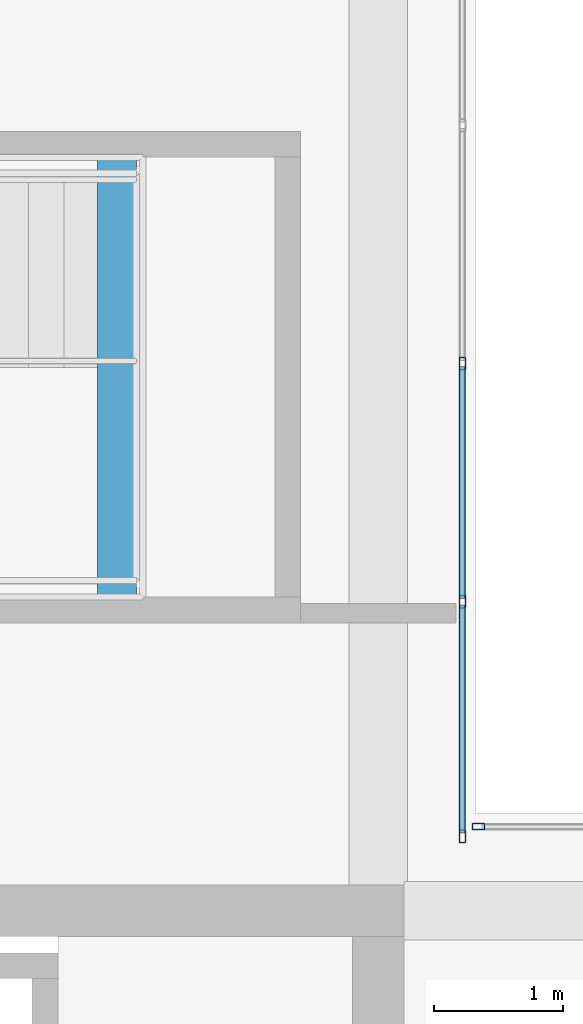
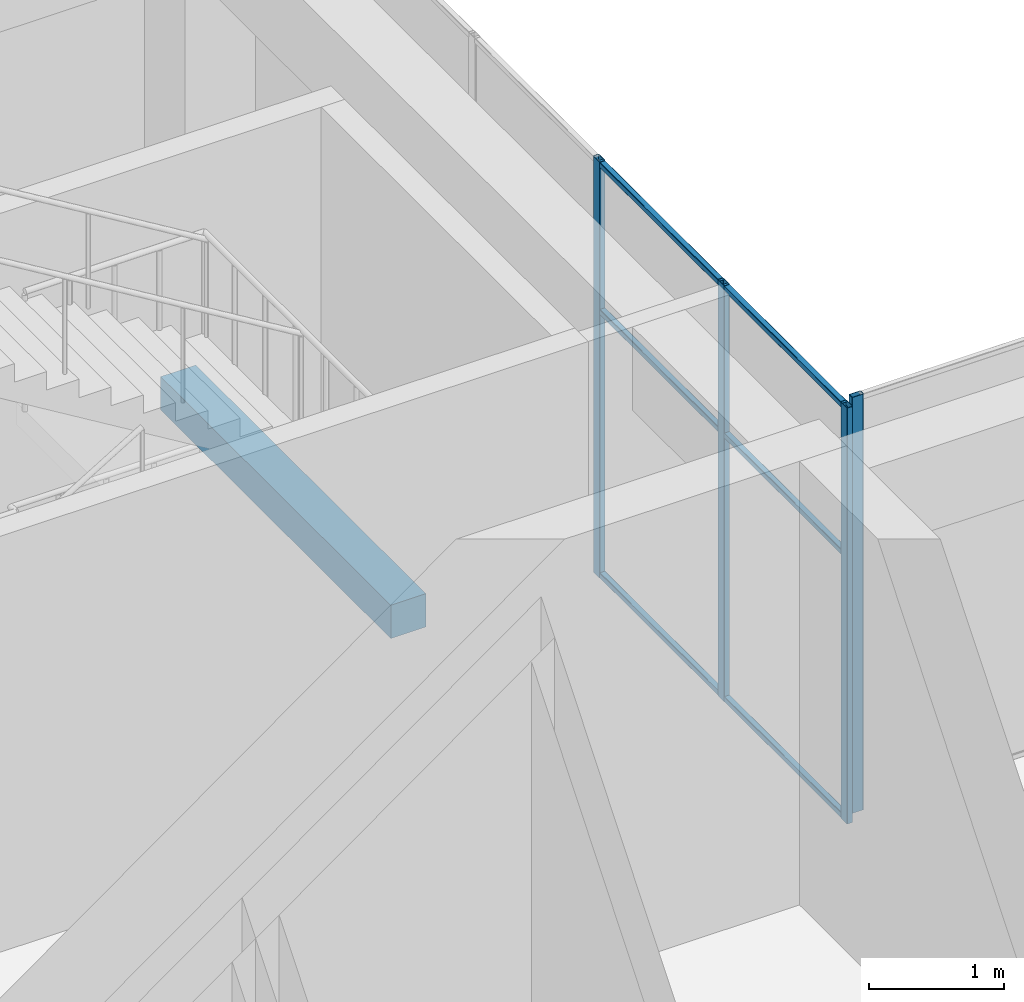
# One storey, part 15 of 35: 10 members, 1 beam, 2 elements without a shape of their own.
"""IFC4 building model written with IfcOpenShell, lengths in metres."""

from ifc_helpers import new_model, si_unit, direction, frame, origin, origin_2d, place, context, subcontext, project, spatial, rectangle, hollow_rectangle, extrude, material, layer, layer_set, material_profile, profile_set, type_object, element, aggregate, save


model = new_model("IFC4")

# Units and contexts
model_context = context("Model", 3, precision=1e-05, world=origin(), true_north=direction((0.0, 1.0)))
body_context = subcontext(model_context, "Body", "Model", "MODEL_VIEW")
ifc_project = project(units=[si_unit("LENGTHUNIT", "METRE"), si_unit("AREAUNIT", "SQUARE_METRE"), si_unit("VOLUMEUNIT", "CUBIC_METRE"), si_unit("PLANEANGLEUNIT", "RADIAN"), si_unit("MASSUNIT", "GRAM", prefix="KILO")], contexts=[model_context])

# Site, building, storey
site_placement = place(None, origin())
site = spatial("IfcSite", under=ifc_project, at=site_placement, CompositionType="ELEMENT")
building_placement = place(site_placement, origin())
building = spatial("IfcBuilding", under=site, at=building_placement, Name="Tuart Plaza Theatre", CompositionType="ELEMENT")
storey_placement = place(building_placement, frame((0.0, 0.0, 45.5)))
storey = spatial("IfcBuildingStorey", under=building, at=storey_placement, Name="L11", CompositionType="ELEMENT", Elevation=45.5)

# Beam
ifc_material_1 = material(Name="Concrete N40 (40 MPa)", Category="concrete")
ifc_material_profile_1 = material_profile(ifc_material_1, rectangle(XDim=0.300048828125, YDim=0.300048828125, at=origin_2d()), Name="BEAM 300x300 Concrete N40 (40 MPa)")
ifc_profile_set_1 = profile_set([ifc_material_profile_1], Name="Concrete N40 (40 MPa)")
beam_type = type_object("IfcBeamType", Name="BEAM 300x300 Concrete N40 (40 MPa)", PredefinedType="BEAM", material=ifc_profile_set_1)
beam_placement = place(storey_placement, frame((138.97998046875, 85.425048828125, 1.64990234375), z_axis=(0.0, 1.0, 0.0), x_axis=(-1.0, 0.0, 0.0)))
element("IfcBeam", 1, at=beam_placement, inside=storey, type_object=beam_type, Name="RB523", PredefinedType="BEAM", context=body_context, shape_type="SweptSolid", body=[
    extrude(rectangle(XDim=0.300048828125, YDim=0.300048828125, at=origin_2d()), origin(), (0.0, 0.0, 1.0), 3.39990234375),
])

# Curtain wall, member
ifc_material_2 = material(Name="Aluminium and glass", Category="aluminium")
ifc_layer = layer(ifc_material_2, 0.10009765625)
ifc_layer_set = layer_set([ifc_layer], Name="CURTAIN WALL 2000 module")
curtain_wall_type = type_object("IfcCurtainWallType", Name="CURTAIN WALL 2000 module", PredefinedType="NOTDEFINED", material=ifc_layer_set)
curtain_wall_1_placement = place(storey_placement, origin())
curtain_wall_1 = element("IfcCurtainWall", 2, at=curtain_wall_1_placement, inside=storey, type_object=curtain_wall_type, Name="CW103", PredefinedType="NOTDEFINED")
ifc_material_3 = material(Name="Aluminium 6063-T5", Category="aluminium")
ifc_material_profile_2 = material_profile(ifc_material_3, hollow_rectangle(XDim=0.050048828125, YDim=0.10009765625, WallThickness=0.00390625, InnerFilletRadius=0.00390625, OuterFilletRadius=0.008056640625, at=origin_2d()), Name="RHS 100x50x4")
ifc_profile_set_2 = profile_set([ifc_material_profile_2], Name="Aluminium 6063-T5")
member_type_1 = type_object("IfcMemberType", Name="MULLION RHS 100x50x4", PredefinedType="MULLION", material=ifc_profile_set_2)
member_1_placement = place(storey_placement, frame((141.77490234375, 83.64990234375, 0.0), z_axis=(0.0, 0.0, 1.0), x_axis=(0.0, -1.0, 0.0)))
member_1 = element("IfcMember", 3, at=member_1_placement, type_object=member_type_1, Name="CW103 mullion 5", PredefinedType="MULLION", context=body_context, shape_type="SweptSolid", body=[
    extrude(hollow_rectangle(XDim=0.050048828125, YDim=0.10009765625, WallThickness=0.00390625, InnerFilletRadius=0.00390625, OuterFilletRadius=0.008056640625, at=origin_2d()), origin(), (0.0, 0.0, 1.0), 3.75),
])
aggregate(curtain_wall_1, [member_1])

# Curtain wall, members
curtain_wall_2_placement = place(storey_placement, origin())
curtain_wall_2 = element("IfcCurtainWall", 4, at=curtain_wall_2_placement, inside=storey, type_object=curtain_wall_type, Name="CW104", PredefinedType="NOTDEFINED")
member_2_placement = place(storey_placement, frame((141.64990234375, 83.574951171875, 0.0), z_axis=(0.0, 0.0, 1.0), x_axis=(-1.0, 0.0, 0.0)))
member_2 = element("IfcMember", 5, at=member_2_placement, type_object=member_type_1, Name="CW104 mullion 1", PredefinedType="MULLION", context=body_context, shape_type="SweptSolid", body=[
    extrude(hollow_rectangle(XDim=0.050048828125, YDim=0.10009765625, WallThickness=0.00390625, InnerFilletRadius=0.00390625, OuterFilletRadius=0.008056640625, at=origin_2d()), origin(), (0.0, 0.0, 1.0), 3.75),
])
member_3_placement = place(storey_placement, frame((141.64990234375, 85.389892578125, 0.0), z_axis=(0.0, 0.0, 1.0), x_axis=(-1.0, 0.0, 0.0)))
member_3 = element("IfcMember", 6, at=member_3_placement, type_object=member_type_1, Name="CW104 mullion 2", PredefinedType="MULLION", context=body_context, shape_type="SweptSolid", body=[
    extrude(hollow_rectangle(XDim=0.050048828125, YDim=0.10009765625, WallThickness=0.00390625, InnerFilletRadius=0.00390625, OuterFilletRadius=0.008056640625, at=origin_2d()), origin(), (0.0, 0.0, 1.0), 3.75),
])
member_4_placement = place(storey_placement, frame((141.64990234375, 87.22998046875, 0.0), z_axis=(0.0, 0.0, 1.0), x_axis=(-1.0, 0.0, 0.0)))
member_4 = element("IfcMember", 7, at=member_4_placement, type_object=member_type_1, Name="CW104 mullion 3", PredefinedType="MULLION", context=body_context, shape_type="SweptSolid", body=[
    extrude(hollow_rectangle(XDim=0.050048828125, YDim=0.10009765625, WallThickness=0.00390625, InnerFilletRadius=0.00390625, OuterFilletRadius=0.008056640625, at=origin_2d()), origin(), (0.0, 0.0, 1.0), 3.75),
])
ifc_material_4 = material(Name="Aluminium 6063-T5", Category="aluminium")
ifc_material_profile_3 = material_profile(ifc_material_4, hollow_rectangle(XDim=0.050048828125, YDim=0.050048828125, WallThickness=0.00390625, InnerFilletRadius=0.00390625, OuterFilletRadius=0.008056640625, at=origin_2d()), Name="RHS 50x50x4")
ifc_profile_set_3 = profile_set([ifc_material_profile_3], Name="Aluminium 6063-T5")
member_type_2 = type_object("IfcMemberType", Name="TRANSOM RHS 50x50x4", PredefinedType="USERDEFINED", material=ifc_profile_set_3)
member_5_placement = place(storey_placement, frame((141.64990234375, 83.60009765625, 0.02490234375), z_axis=(0.0, 1.0, 0.0), x_axis=(-1.0, 0.0, 0.0)))
member_5 = element("IfcMember", 8, at=member_5_placement, type_object=member_type_2, Name="CW104 transom 1.1", ObjectType="TRANSOM", PredefinedType="USERDEFINED", context=body_context, shape_type="SweptSolid", body=[
    extrude(hollow_rectangle(XDim=0.050048828125, YDim=0.050048828125, WallThickness=0.00390625, InnerFilletRadius=0.00390625, OuterFilletRadius=0.008056640625, at=origin_2d()), origin(), (0.0, 0.0, 1.0), 1.764892578125),
])
member_6_placement = place(storey_placement, frame((141.64990234375, 83.60009765625, 2.39990234375), z_axis=(0.0, 1.0, 0.0), x_axis=(-1.0, 0.0, 0.0)))
member_6 = element("IfcMember", 9, at=member_6_placement, type_object=member_type_2, Name="CW104 transom 1.2", ObjectType="TRANSOM", PredefinedType="USERDEFINED", context=body_context, shape_type="SweptSolid", body=[
    extrude(hollow_rectangle(XDim=0.050048828125, YDim=0.050048828125, WallThickness=0.00390625, InnerFilletRadius=0.00390625, OuterFilletRadius=0.008056640625, at=origin_2d()), origin(), (0.0, 0.0, 1.0), 1.764892578125),
])
member_7_placement = place(storey_placement, frame((141.64990234375, 83.60009765625, 3.72509765625), z_axis=(0.0, 1.0, 0.0), x_axis=(-1.0, 0.0, 0.0)))
member_7 = element("IfcMember", 10, at=member_7_placement, type_object=member_type_2, Name="CW104 transom 1.3", ObjectType="TRANSOM", PredefinedType="USERDEFINED", context=body_context, shape_type="SweptSolid", body=[
    extrude(hollow_rectangle(XDim=0.050048828125, YDim=0.050048828125, WallThickness=0.00390625, InnerFilletRadius=0.00390625, OuterFilletRadius=0.008056640625, at=origin_2d()), origin(), (0.0, 0.0, 1.0), 1.764892578125),
])
member_8_placement = place(storey_placement, frame((141.64990234375, 85.4150390625, 0.02490234375), z_axis=(0.0, 1.0, 0.0), x_axis=(-1.0, 0.0, 0.0)))
member_8 = element("IfcMember", 11, at=member_8_placement, type_object=member_type_2, Name="CW104 transom 2.1", ObjectType="TRANSOM", PredefinedType="USERDEFINED", context=body_context, shape_type="SweptSolid", body=[
    extrude(hollow_rectangle(XDim=0.050048828125, YDim=0.050048828125, WallThickness=0.00390625, InnerFilletRadius=0.00390625, OuterFilletRadius=0.008056640625, at=origin_2d()), origin(), (0.0, 0.0, 1.0), 1.7900390625),
])
member_9_placement = place(storey_placement, frame((141.64990234375, 85.4150390625, 2.39990234375), z_axis=(0.0, 1.0, 0.0), x_axis=(-1.0, 0.0, 0.0)))
member_9 = element("IfcMember", 12, at=member_9_placement, type_object=member_type_2, Name="CW104 transom 2.2", ObjectType="TRANSOM", PredefinedType="USERDEFINED", context=body_context, shape_type="SweptSolid", body=[
    extrude(hollow_rectangle(XDim=0.050048828125, YDim=0.050048828125, WallThickness=0.00390625, InnerFilletRadius=0.00390625, OuterFilletRadius=0.008056640625, at=origin_2d()), origin(), (0.0, 0.0, 1.0), 1.7900390625),
])
member_10_placement = place(storey_placement, frame((141.64990234375, 85.4150390625, 3.72509765625), z_axis=(0.0, 1.0, 0.0), x_axis=(-1.0, 0.0, 0.0)))
member_10 = element("IfcMember", 13, at=member_10_placement, type_object=member_type_2, Name="CW104 transom 2.3", ObjectType="TRANSOM", PredefinedType="USERDEFINED", context=body_context, shape_type="SweptSolid", body=[
    extrude(hollow_rectangle(XDim=0.050048828125, YDim=0.050048828125, WallThickness=0.00390625, InnerFilletRadius=0.00390625, OuterFilletRadius=0.008056640625, at=origin_2d()), origin(), (0.0, 0.0, 1.0), 1.7900390625),
])
aggregate(curtain_wall_2, [member_2, member_3, member_4, member_5, member_6, member_7, member_8, member_9, member_10])

save(model, "model.ifc")
